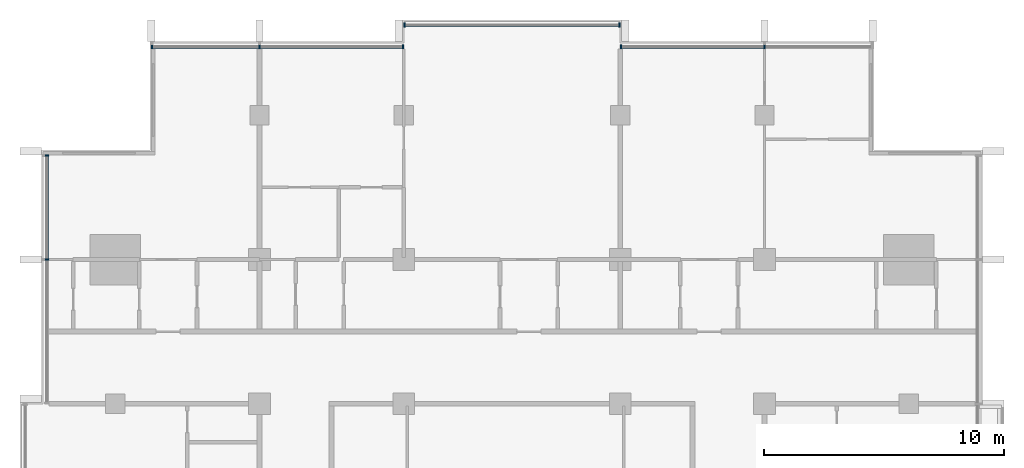
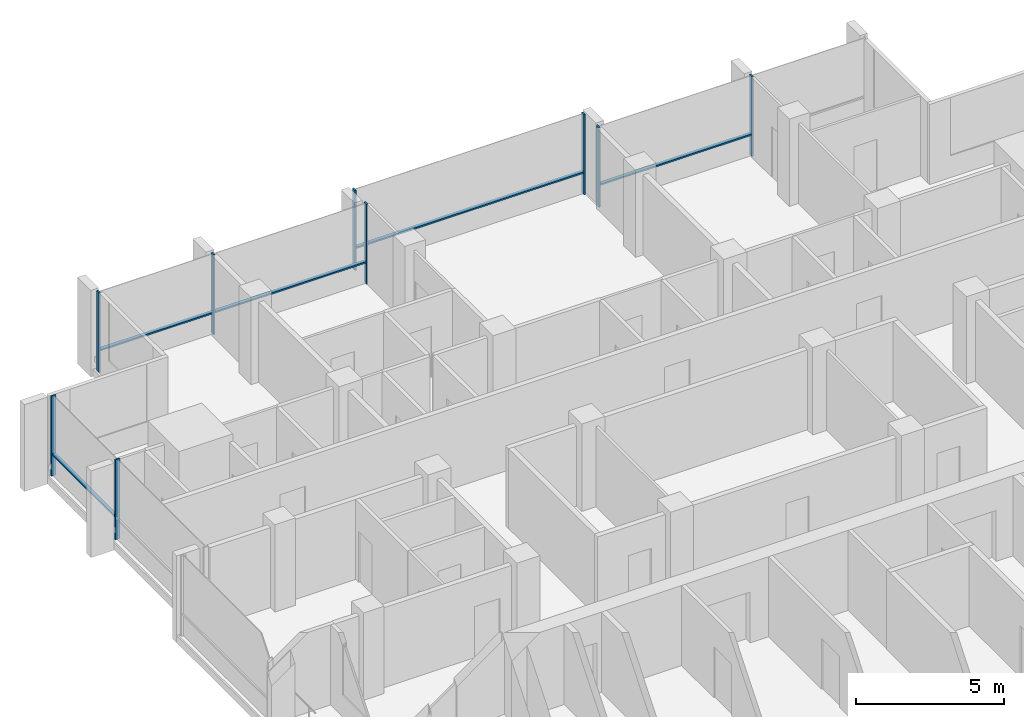
# One storey, part 4 of 16: 14 members, 4 elements without a shape of their own.
"""IFC4 building model written with IfcOpenShell, lengths in metres."""

from ifc_helpers import new_model, si_unit, direction, frame, origin, origin_2d, place, context, subcontext, project, spatial, rectangle, extrude, material, material_profile, profile_set, type_object, element, aggregate, save


model = new_model("IFC4")

# Units and contexts
model_context = context("Model", 3, precision=1e-05, world=origin(), true_north=direction((0.0, 1.0)))
body_context = subcontext(model_context, "Body", "Model", "MODEL_VIEW")
ifc_project = project(units=[si_unit("LENGTHUNIT", "METRE"), si_unit("AREAUNIT", "SQUARE_METRE"), si_unit("VOLUMEUNIT", "CUBIC_METRE"), si_unit("PLANEANGLEUNIT", "RADIAN"), si_unit("MASSUNIT", "GRAM", prefix="KILO")], contexts=[model_context])

# Site, building, storey
site_placement = place(None, origin())
site = spatial("IfcSite", under=ifc_project, at=site_placement, CompositionType="ELEMENT")
building_placement = place(site_placement, origin())
building = spatial("IfcBuilding", under=site, at=building_placement, Name="Finial Court Residences", CompositionType="ELEMENT")
storey_placement = place(building_placement, frame((0.0, 0.0, 215.89990234375)))
storey = spatial("IfcBuildingStorey", under=building, at=storey_placement, Name="L54", CompositionType="ELEMENT", Elevation=215.89990234375)

# Curtain wall, members
ifc_material = material(Name="Bronze anodised aluminium", Category="aluminium")
curtain_wall_type = type_object("IfcCurtainWallType", Name="Unitised curtain wall, upper zones", PredefinedType="NOTDEFINED", material=ifc_material)
curtain_wall_1_placement = place(storey_placement, origin())
curtain_wall_1 = element("IfcCurtainWall", 1, at=curtain_wall_1_placement, inside=storey, type_object=curtain_wall_type, Name="E-L54-CW-N1", PredefinedType="NOTDEFINED")
ifc_material_profile_1 = material_profile(ifc_material, rectangle(XDim=0.175048828125, YDim=0.06005859375, at=origin_2d()), Name="CW2 mullion 60 x 175")
ifc_profile_set_1 = profile_set([ifc_material_profile_1], Name="Bronze anodised aluminium")
member_type_1 = type_object("IfcMemberType", Name="CW2 mullion 60 x 175", PredefinedType="MULLION", material=ifc_profile_set_1)
member_1_placement = place(storey_placement, frame((-14.969970703125, 16.35009765625, 0.0), z_axis=(0.0, 0.0, 1.0), x_axis=(0.0, 1.0, 0.0)))
member_1 = element("IfcMember", 2, at=member_1_placement, type_object=member_type_1, Name="CW2 mullion 1", PredefinedType="MULLION", context=body_context, shape_type="SweptSolid", body=[
    extrude(rectangle(XDim=0.175048828125, YDim=0.06005859375, at=origin_2d()), origin(), (0.0, 0.0, 1.0), 3.300048828125),
])
member_2_placement = place(storey_placement, frame((-10.5, 16.35009765625, 0.0), z_axis=(0.0, 0.0, 1.0), x_axis=(0.0, 1.0, 0.0)))
member_2 = element("IfcMember", 3, at=member_2_placement, type_object=member_type_1, Name="CW2 mullion 2", PredefinedType="MULLION", context=body_context, shape_type="SweptSolid", body=[
    extrude(rectangle(XDim=0.175048828125, YDim=0.06005859375, at=origin_2d()), origin(), (0.0, 0.0, 1.0), 3.300048828125),
])
member_3_placement = place(storey_placement, frame((-4.530029296875, 16.35009765625, 0.0), z_axis=(0.0, 0.0, 1.0), x_axis=(0.0, 1.0, 0.0)))
member_3 = element("IfcMember", 4, at=member_3_placement, type_object=member_type_1, Name="CW2 mullion 3", PredefinedType="MULLION", context=body_context, shape_type="SweptSolid", body=[
    extrude(rectangle(XDim=0.175048828125, YDim=0.06005859375, at=origin_2d()), origin(), (0.0, 0.0, 1.0), 3.300048828125),
])

curtain_wall_2_placement = place(storey_placement, origin())
curtain_wall_2 = element("IfcCurtainWall", 5, at=curtain_wall_2_placement, inside=storey, type_object=curtain_wall_type, Name="E-L54-CW-N2", PredefinedType="NOTDEFINED")
member_4_placement = place(storey_placement, frame((-4.469970703125, 17.25, 0.0), z_axis=(0.0, 0.0, 1.0), x_axis=(0.0, 1.0, 0.0)))
member_4 = element("IfcMember", 6, at=member_4_placement, type_object=member_type_1, Name="CW2 mullion 1", PredefinedType="MULLION", context=body_context, shape_type="SweptSolid", body=[
    extrude(rectangle(XDim=0.175048828125, YDim=0.06005859375, at=origin_2d()), origin(), (0.0, 0.0, 1.0), 3.300048828125),
])
member_5_placement = place(storey_placement, frame((4.469970703125, 17.25, 0.0), z_axis=(0.0, 0.0, 1.0), x_axis=(0.0, 1.0, 0.0)))
member_5 = element("IfcMember", 7, at=member_5_placement, type_object=member_type_1, Name="CW2 mullion 2", PredefinedType="MULLION", context=body_context, shape_type="SweptSolid", body=[
    extrude(rectangle(XDim=0.175048828125, YDim=0.06005859375, at=origin_2d()), origin(), (0.0, 0.0, 1.0), 3.300048828125),
])

curtain_wall_3_placement = place(storey_placement, origin())
curtain_wall_3 = element("IfcCurtainWall", 8, at=curtain_wall_3_placement, inside=storey, type_object=curtain_wall_type, Name="E-L54-CW-N3", PredefinedType="NOTDEFINED")
member_6_placement = place(storey_placement, frame((4.530029296875, 16.35009765625, 0.0), z_axis=(0.0, 0.0, 1.0), x_axis=(0.0, 1.0, 0.0)))
member_6 = element("IfcMember", 9, at=member_6_placement, type_object=member_type_1, Name="CW2 mullion 1", PredefinedType="MULLION", context=body_context, shape_type="SweptSolid", body=[
    extrude(rectangle(XDim=0.175048828125, YDim=0.06005859375, at=origin_2d()), origin(), (0.0, 0.0, 1.0), 3.300048828125),
])
member_7_placement = place(storey_placement, frame((10.5, 16.35009765625, 0.0), z_axis=(0.0, 0.0, 1.0), x_axis=(0.0, 1.0, 0.0)))
member_7 = element("IfcMember", 10, at=member_7_placement, type_object=member_type_1, Name="CW2 mullion 2", PredefinedType="MULLION", context=body_context, shape_type="SweptSolid", body=[
    extrude(rectangle(XDim=0.175048828125, YDim=0.06005859375, at=origin_2d()), origin(), (0.0, 0.0, 1.0), 3.300048828125),
])

curtain_wall_4_placement = place(storey_placement, origin())
curtain_wall_4 = element("IfcCurtainWall", 11, at=curtain_wall_4_placement, inside=storey, type_object=curtain_wall_type, Name="E-L54-CW-W11", PredefinedType="NOTDEFINED")
member_8_placement = place(storey_placement, frame((-19.35009765625, 7.5, 0.0), z_axis=(0.0, 0.0, 1.0), x_axis=(-1.0, 0.0, 0.0)))
member_8 = element("IfcMember", 12, at=member_8_placement, type_object=member_type_1, Name="CW2 mullion 2", PredefinedType="MULLION", context=body_context, shape_type="SweptSolid", body=[
    extrude(rectangle(XDim=0.175048828125, YDim=0.06005859375, at=origin_2d()), origin(), (0.0, 0.0, 1.0), 3.300048828125),
])
member_9_placement = place(storey_placement, frame((-19.35009765625, 11.820068359375, 0.0), z_axis=(0.0, 0.0, 1.0), x_axis=(-1.0, 0.0, 0.0)))
member_9 = element("IfcMember", 13, at=member_9_placement, type_object=member_type_1, Name="CW2 mullion 3", PredefinedType="MULLION", context=body_context, shape_type="SweptSolid", body=[
    extrude(rectangle(XDim=0.175048828125, YDim=0.06005859375, at=origin_2d()), origin(), (0.0, 0.0, 1.0), 3.300048828125),
])

# Member
ifc_material_profile_2 = material_profile(ifc_material, rectangle(XDim=0.139892578125, YDim=0.06005859375, at=origin_2d()), Name="CW2 transom 60 x 140")
ifc_profile_set_2 = profile_set([ifc_material_profile_2], Name="Bronze anodised aluminium")
member_type_2 = type_object("IfcMemberType", Name="CW2 transom 60 x 140", PredefinedType="USERDEFINED", material=ifc_profile_set_2)
member_10_placement = place(storey_placement, frame((-14.93994140625, 16.35009765625, 0.900146484375), z_axis=(1.0, 0.0, 0.0), x_axis=(0.0, 1.0, 0.0)))
member_10 = element("IfcMember", 14, at=member_10_placement, type_object=member_type_2, Name="CW2 transom 1.1", ObjectType="TRANSOM", PredefinedType="USERDEFINED", context=body_context, shape_type="SweptSolid", body=[
    extrude(rectangle(XDim=0.139892578125, YDim=0.06005859375, at=origin_2d()), origin(), (0.0, 0.0, 1.0), 4.409912109375),
])

member_11_placement = place(storey_placement, frame((-10.469970703125, 16.35009765625, 0.900146484375), z_axis=(1.0, 0.0, 0.0), x_axis=(0.0, 1.0, 0.0)))
member_11 = element("IfcMember", 15, at=member_11_placement, type_object=member_type_2, Name="CW2 transom 2.1", ObjectType="TRANSOM", PredefinedType="USERDEFINED", context=body_context, shape_type="SweptSolid", body=[
    extrude(rectangle(XDim=0.139892578125, YDim=0.06005859375, at=origin_2d()), origin(), (0.0, 0.0, 1.0), 5.909912109375),
])

aggregate(curtain_wall_1, [member_1, member_2, member_3, member_10, member_11])

member_12_placement = place(storey_placement, frame((-4.43994140625, 17.25, 0.900146484375), z_axis=(1.0, 0.0, 0.0), x_axis=(0.0, 1.0, 0.0)))
member_12 = element("IfcMember", 16, at=member_12_placement, type_object=member_type_2, Name="CW2 transom 1.1", ObjectType="TRANSOM", PredefinedType="USERDEFINED", context=body_context, shape_type="SweptSolid", body=[
    extrude(rectangle(XDim=0.139892578125, YDim=0.06005859375, at=origin_2d()), origin(), (0.0, 0.0, 1.0), 8.8798828125),
])

aggregate(curtain_wall_2, [member_4, member_5, member_12])

member_13_placement = place(storey_placement, frame((4.56005859375, 16.35009765625, 0.900146484375), z_axis=(1.0, 0.0, 0.0), x_axis=(0.0, 1.0, 0.0)))
member_13 = element("IfcMember", 17, at=member_13_placement, type_object=member_type_2, Name="CW2 transom 1.1", ObjectType="TRANSOM", PredefinedType="USERDEFINED", context=body_context, shape_type="SweptSolid", body=[
    extrude(rectangle(XDim=0.139892578125, YDim=0.06005859375, at=origin_2d()), origin(), (0.0, 0.0, 1.0), 5.909912109375),
])

aggregate(curtain_wall_3, [member_6, member_7, member_13])

member_14_placement = place(storey_placement, frame((-19.35009765625, 7.530029296875, 0.900146484375), z_axis=(0.0, 1.0, 0.0), x_axis=(-1.0, 0.0, 0.0)))
member_14 = element("IfcMember", 18, at=member_14_placement, type_object=member_type_2, Name="CW2 transom 2.1", ObjectType="TRANSOM", PredefinedType="USERDEFINED", context=body_context, shape_type="SweptSolid", body=[
    extrude(rectangle(XDim=0.139892578125, YDim=0.06005859375, at=origin_2d()), origin(), (0.0, 0.0, 1.0), 4.260009765625),
])

aggregate(curtain_wall_4, [member_8, member_9, member_14])

save(model, "model.ifc")
